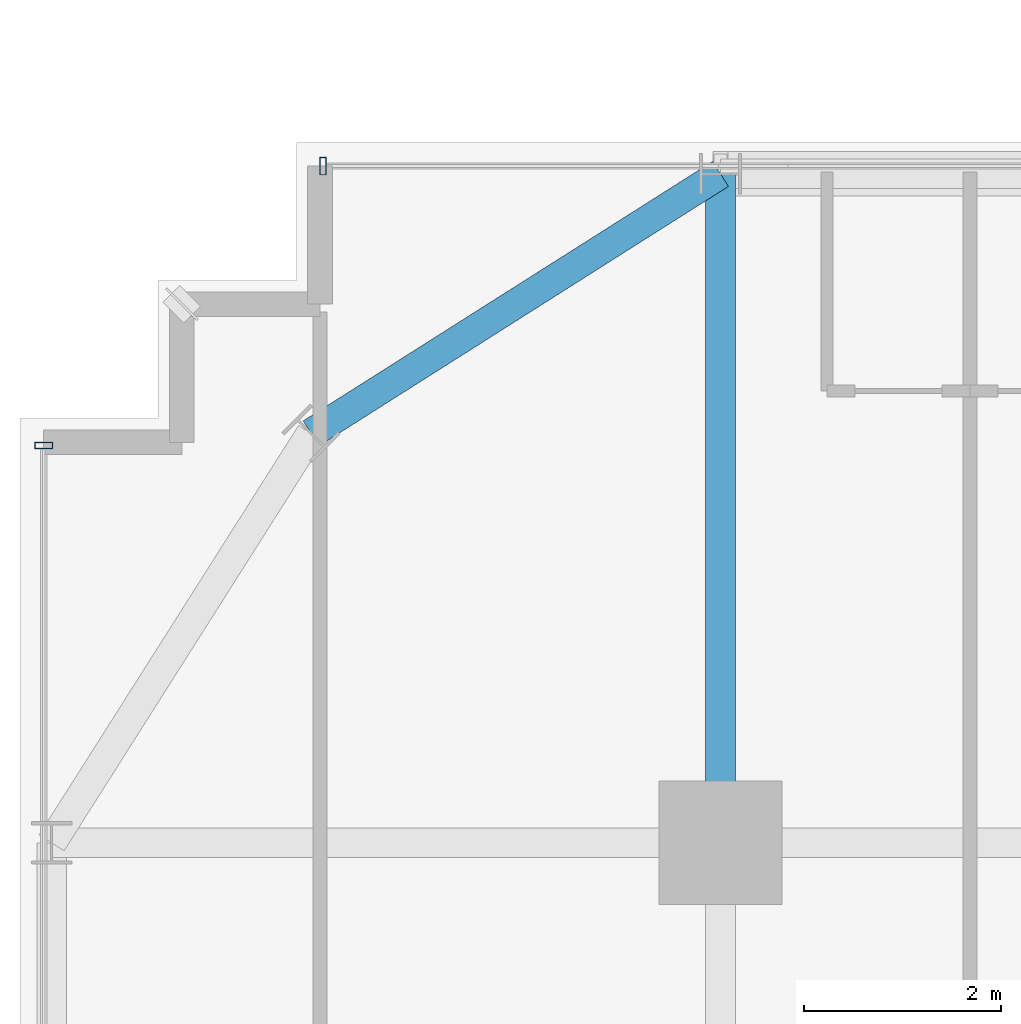
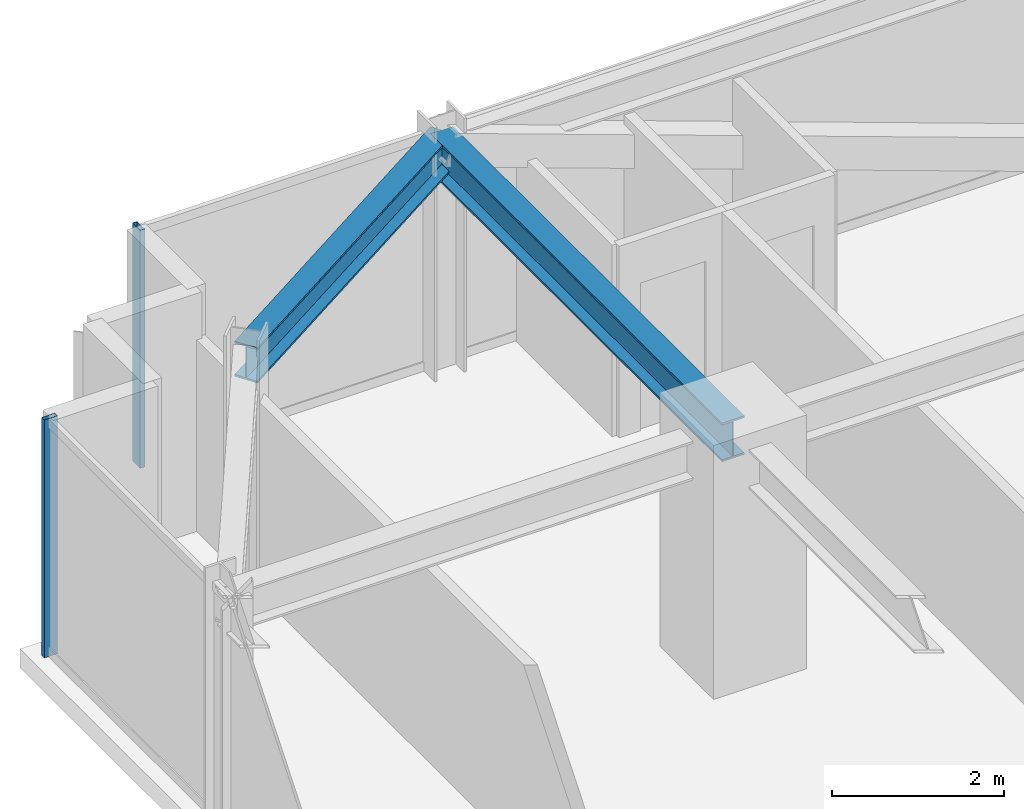
# One storey, part 18 of 41: 2 beams, 2 members, 2 elements without a shape of their own.
"""IFC4 building model written with IfcOpenShell, lengths in metres."""

from ifc_helpers import new_model, si_unit, direction, frame, origin, origin_2d, place, context, subcontext, project, spatial, hollow_rectangle, i_section, extrude, source, transform, mapped, material, material_profile, profile_set, type_object, element, aggregate, save


model = new_model("IFC4")

# Units and contexts
model_context = context("Model", 3, precision=1e-05, world=origin(), true_north=direction((0.0, 1.0)))
body_context = subcontext(model_context, "Body", "Model", "MODEL_VIEW")
ifc_project = project(units=[si_unit("LENGTHUNIT", "METRE"), si_unit("AREAUNIT", "SQUARE_METRE"), si_unit("VOLUMEUNIT", "CUBIC_METRE"), si_unit("PLANEANGLEUNIT", "RADIAN"), si_unit("MASSUNIT", "GRAM", prefix="KILO")], contexts=[model_context])

# Site, building, storey
site_placement = place(None, origin())
site = spatial("IfcSite", under=ifc_project, at=site_placement, CompositionType="ELEMENT")
building_placement = place(site_placement, origin())
building = spatial("IfcBuilding", under=site, at=building_placement, Name="Nahalor Promenade Grand Hotel", CompositionType="ELEMENT")
storey_placement = place(building_placement, frame((0.0, 0.0, 113.85009765625)))
storey = spatial("IfcBuildingStorey", under=building, at=storey_placement, Name="L28", CompositionType="ELEMENT", Elevation=113.85009765625)

# Beams
ifc_material_1 = material(Name="Steel S355JR", Category="steel")
ifc_material_profile_1 = material_profile(ifc_material_1, i_section(OverallWidth=0.3, OverallDepth=0.5, WebThickness=0.0145, FlangeThickness=0.028, at=origin_2d()), Name="HEB 500")
ifc_profile_set_1 = profile_set([ifc_material_profile_1], Name="Steel S355JR")
beam_type_1 = type_object("IfcBeamType", Name="Beam-Spandrel-HEB500", PredefinedType="SPANDREL", material=ifc_profile_set_1)
shared_shape_1 = source(origin(), body_context, "Body", "SweptSolid", [
    extrude(i_section(OverallWidth=0.3, OverallDepth=0.5, WebThickness=0.0145, FlangeThickness=0.028, at=origin_2d()), origin(), (0.0, 0.0, 1.0), 4.9130859375),
])
beam_1_placement = place(storey_placement, frame((-17.0, 23.780029296875, 3.1298828125), z_axis=(-0.844648325505, -0.535321591403, 0.0), x_axis=(0.535321591403, -0.844648325505, 0.0)))
element("IfcBeam", 1, at=beam_1_placement, inside=storey, type_object=beam_type_1, Name="BM-L28-SPC-NW-1", PredefinedType="SPANDREL", context=body_context, shape_type="MappedRepresentation", body=[
    mapped(shared_shape_1, transform((0.0, 0.0, 0.0), scale=1.0)),
])
ifc_material_profile_2 = material_profile(ifc_material_1, i_section(OverallWidth=0.3, OverallDepth=0.55, WebThickness=0.015, FlangeThickness=0.029, at=origin_2d()), Name="HEB 550")
ifc_profile_set_2 = profile_set([ifc_material_profile_2], Name="Steel S355JR")
beam_type_2 = type_object("IfcBeamType", Name="Beam-Girder-HEB550", PredefinedType="BEAM", material=ifc_profile_set_2)
shared_shape_2 = source(origin(), body_context, "Body", "SweptSolid", [
    extrude(i_section(OverallWidth=0.3, OverallDepth=0.55, WebThickness=0.015, FlangeThickness=0.029, at=origin_2d()), origin(), (0.0, 0.0, 1.0), 6.780029296875),
])
beam_2_placement = place(storey_placement, frame((-17.0, 17.0, 3.10498046875), z_axis=(0.0, 1.0, 0.0), x_axis=(-1.0, 0.0, 0.0)))
element("IfcBeam", 2, at=beam_2_placement, inside=storey, type_object=beam_type_2, Name="BM-L28-GY-0-4", PredefinedType="BEAM", context=body_context, shape_type="MappedRepresentation", body=[
    mapped(shared_shape_2, transform((0.0, 0.0, 0.0), scale=1.0)),
])

# Curtain wall, member
ifc_material_2 = material(Name="Anodised Bronze Aluminium EN AW-6063 T6", Category="aluminium")
curtain_wall_type = type_object("IfcCurtainWallType", Name="CW2 Typical Hotel Flush Bronze Unitised Curtain Wall", PredefinedType="USERDEFINED", material=ifc_material_2)
curtain_wall_1_placement = place(storey_placement, origin())
curtain_wall_1 = element("IfcCurtainWall", 3, at=curtain_wall_1_placement, inside=storey, type_object=curtain_wall_type, Name="L28 Curtain Wall CW-L28-N-1", ObjectType="UNITISED_CURTAIN_WALL", PredefinedType="USERDEFINED")
ifc_material_profile_3 = material_profile(ifc_material_2, hollow_rectangle(XDim=0.065, YDim=0.18, WallThickness=0.004, at=origin_2d()), Name="CWM 65x180x4")
ifc_profile_set_3 = profile_set([ifc_material_profile_3], Name="Anodised Bronze Aluminium EN AW-6063 T6")
member_type = type_object("IfcMemberType", Name="CWM2 Typical Bronze Mullion 65x180", PredefinedType="MULLION", material=ifc_profile_set_3)
shared_shape_3 = source(origin(), body_context, "Body", "SweptSolid", [
    extrude(hollow_rectangle(XDim=0.065, YDim=0.18, WallThickness=0.004, at=origin_2d()), origin(), (0.0, 0.0, 1.0), 3.3798828125),
])
member_1_placement = place(storey_placement, frame((-21.027587890625, 23.860107421875, 0.0), z_axis=(0.0, 0.0, 1.0), x_axis=(1.0, 0.0, 0.0)))
member_1 = element("IfcMember", 4, at=member_1_placement, type_object=member_type, Name="CW-L28-N-1 Mullion 0", PredefinedType="MULLION", context=body_context, shape_type="MappedRepresentation", body=[
    mapped(shared_shape_3, transform((0.0, 0.0, 0.0), scale=1.0)),
])
aggregate(curtain_wall_1, [member_1])

curtain_wall_2_placement = place(storey_placement, origin())
curtain_wall_2 = element("IfcCurtainWall", 5, at=curtain_wall_2_placement, inside=storey, type_object=curtain_wall_type, Name="L28 Curtain Wall CW-L28-W-1", ObjectType="UNITISED_CURTAIN_WALL", PredefinedType="USERDEFINED")
member_2_placement = place(storey_placement, frame((-23.860107421875, 21.027587890625, 0.0), z_axis=(0.0, 0.0, 1.0), x_axis=(0.0, 1.0, 0.0)))
member_2 = element("IfcMember", 6, at=member_2_placement, type_object=member_type, Name="CW-L28-W-1 Mullion 4", PredefinedType="MULLION", context=body_context, shape_type="MappedRepresentation", body=[
    mapped(shared_shape_3, transform((0.0, 0.0, 0.0), scale=1.0)),
])
aggregate(curtain_wall_2, [member_2])

save(model, "model.ifc")
